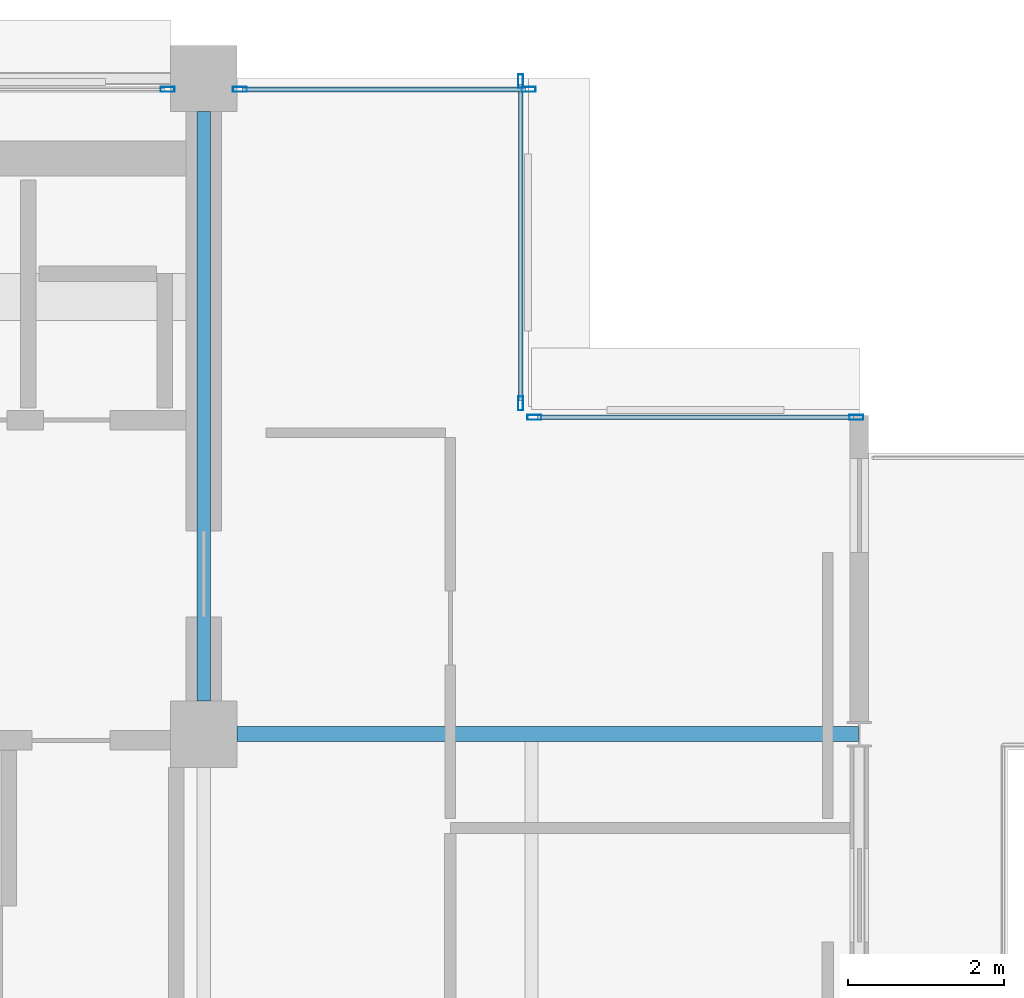
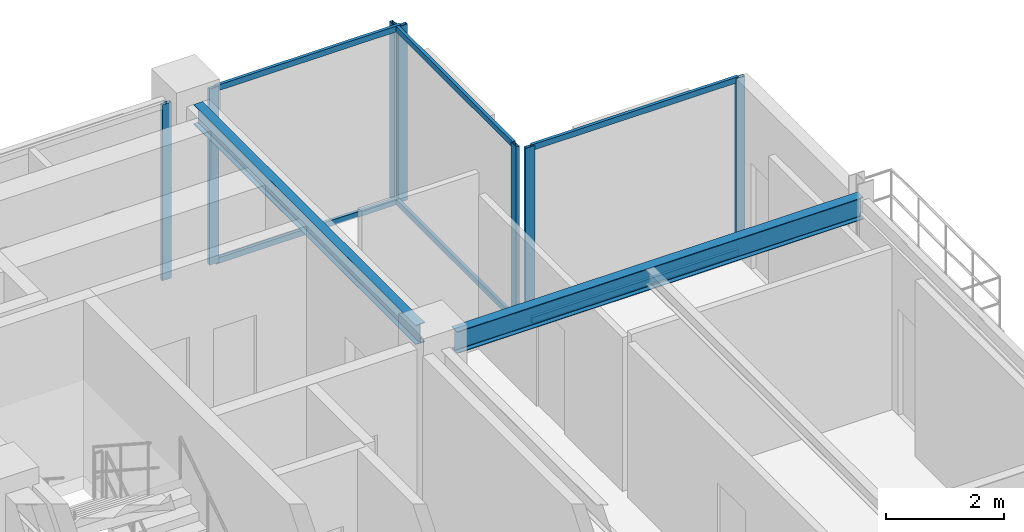
# One storey, part 18 of 25: 13 members, 2 beams, 4 elements without a shape of their own.
"""IFC4 building model written with IfcOpenShell, lengths in metres."""

from ifc_helpers import new_model, si_unit, direction, frame, origin, origin_2d, place, context, subcontext, project, spatial, hollow_rectangle, i_section, extrude, material, layer, layer_set, material_profile, profile_set, type_object, element, aggregate, save


model = new_model("IFC4")

# Units and contexts
model_context = context("Model", 3, precision=1e-05, world=origin(), true_north=direction((0.0, 1.0)))
body_context = subcontext(model_context, "Body", "Model", "MODEL_VIEW")
ifc_project = project(units=[si_unit("LENGTHUNIT", "METRE"), si_unit("AREAUNIT", "SQUARE_METRE"), si_unit("VOLUMEUNIT", "CUBIC_METRE"), si_unit("PLANEANGLEUNIT", "RADIAN"), si_unit("MASSUNIT", "GRAM", prefix="KILO")], contexts=[model_context])

# Site, building, storey
site_placement = place(None, origin())
site = spatial("IfcSite", under=ifc_project, at=site_placement, CompositionType="ELEMENT")
building_placement = place(site_placement, origin())
building = spatial("IfcBuilding", under=site, at=building_placement, Name="Nerrivon Quay Data Exchange", CompositionType="ELEMENT")
storey_placement = place(building_placement, frame((0.0, 0.0, 318.199951171875)))
storey = spatial("IfcBuildingStorey", under=building, at=storey_placement, Name="L76", CompositionType="ELEMENT", Elevation=318.199951171875)

# Beams
ifc_material_1 = material(Name="Steel Grade 350", Category="steel")
ifc_material_profile_1 = material_profile(ifc_material_1, i_section(OverallWidth=0.18994140625, OverallDepth=0.4541015625, WebThickness=0.008544921875, FlangeThickness=0.0126953125, FilletRadius=0.011474609375, at=origin_2d()), Name="460UB67.1")
ifc_profile_set_1 = profile_set([ifc_material_profile_1], Name="Steel Grade 350")
beam_type_1 = type_object("IfcBeamType", Name="BM-G6-460UB67", PredefinedType="BEAM", material=ifc_profile_set_1)
beam_1_placement = place(storey_placement, frame((17.22509765625, 33.60009765625, 3.423095703125), z_axis=(1.0, 0.0, 0.0), x_axis=(0.0, 1.0, 0.0)))
element("IfcBeam", 1, at=beam_1_placement, inside=storey, type_object=beam_type_1, Name="L76 EW Girder Y=33.6 (16.8..25.2)", PredefinedType="BEAM", context=body_context, shape_type="SweptSolid", body=[
    extrude(i_section(OverallWidth=0.18994140625, OverallDepth=0.4541015625, WebThickness=0.008544921875, FlangeThickness=0.0126953125, FilletRadius=0.011474609375, at=origin_2d()), origin(), (0.0, 0.0, 1.0), 7.967041015625),
])
ifc_material_profile_2 = material_profile(ifc_material_1, i_section(OverallWidth=0.177978515625, OverallDepth=0.406005859375, WebThickness=0.0078125, FlangeThickness=0.0126953125, FilletRadius=0.011474609375, at=origin_2d()), Name="410UB59.7")
ifc_profile_set_2 = profile_set([ifc_material_profile_2], Name="Steel Grade 350")
beam_type_2 = type_object("IfcBeamType", Name="BM-J1-410UB60", PredefinedType="JOIST", material=ifc_profile_set_2)
beam_2_placement = place(storey_placement, frame((16.800048828125, 34.02490234375, 3.447021484375), z_axis=(0.0, 1.0, 0.0), x_axis=(-1.0, 0.0, 0.0)))
element("IfcBeam", 2, at=beam_2_placement, inside=storey, type_object=beam_type_2, Name="L76 NS Girder X=16.8 (33.6..42.0)", PredefinedType="JOIST", context=body_context, shape_type="SweptSolid", body=[
    extrude(i_section(OverallWidth=0.177978515625, OverallDepth=0.406005859375, WebThickness=0.0078125, FlangeThickness=0.0126953125, FilletRadius=0.011474609375, at=origin_2d()), origin(), (0.0, 0.0, 1.0), 7.550048828125),
])

# Curtain wall, member
ifc_material_2 = material(Name="Anodised aluminium 6063-T6", Category="aluminium")
ifc_layer = layer(ifc_material_2, 0.195068359375)
ifc_layer_set = layer_set([ifc_layer], Name="Anodised aluminium 6063-T6")
curtain_wall_type = type_object("IfcCurtainWallType", Name="CW-SYS-06", PredefinedType="NOTDEFINED", material=ifc_layer_set)
curtain_wall_1_placement = place(storey_placement, origin())
curtain_wall_1 = element("IfcCurtainWall", 3, at=curtain_wall_1_placement, inside=storey, type_object=curtain_wall_type, Name="L76 Unitised Curtain Wall 15", PredefinedType="NOTDEFINED")
ifc_material_profile_3 = material_profile(ifc_material_2, hollow_rectangle(XDim=0.06494140625, YDim=0.179931640625, WallThickness=0.00341796875, at=origin_2d()), Name="ALU-MULL-180x65")
ifc_profile_set_3 = profile_set([ifc_material_profile_3], Name="Anodised aluminium 6063-T6")
member_type_1 = type_object("IfcMemberType", Name="CWM-180x65", PredefinedType="MULLION", material=ifc_profile_set_3)
member_1_placement = place(storey_placement, frame((16.33740234375, 41.860107421875, 0.0), z_axis=(0.0, 0.0, 1.0), x_axis=(0.0, 1.0, 0.0)))
member_1 = element("IfcMember", 4, at=member_1_placement, type_object=member_type_1, Name="CW06 mullion 2", PredefinedType="MULLION", context=body_context, shape_type="SweptSolid", body=[
    extrude(hollow_rectangle(XDim=0.06494140625, YDim=0.179931640625, WallThickness=0.00341796875, at=origin_2d()), origin(), (0.0, 0.0, 1.0), 3.650146484375),
])
aggregate(curtain_wall_1, [member_1])

# Curtain wall, members
curtain_wall_2_placement = place(storey_placement, origin())
curtain_wall_2 = element("IfcCurtainWall", 5, at=curtain_wall_2_placement, inside=storey, type_object=curtain_wall_type, Name="L76 Unitised Curtain Wall 16", PredefinedType="NOTDEFINED")
member_2_placement = place(storey_placement, frame((17.262451171875, 41.860107421875, 0.0), z_axis=(0.0, 0.0, 1.0), x_axis=(0.0, 1.0, 0.0)))
member_2 = element("IfcMember", 6, at=member_2_placement, type_object=member_type_1, Name="CW06 mullion 1", PredefinedType="MULLION", context=body_context, shape_type="SweptSolid", body=[
    extrude(hollow_rectangle(XDim=0.06494140625, YDim=0.179931640625, WallThickness=0.00341796875, at=origin_2d()), origin(), (0.0, 0.0, 1.0), 3.650146484375),
])
member_3_placement = place(storey_placement, frame((20.96240234375, 41.860107421875, 0.0), z_axis=(0.0, 0.0, 1.0), x_axis=(0.0, 1.0, 0.0)))
member_3 = element("IfcMember", 7, at=member_3_placement, type_object=member_type_1, Name="CW06 mullion 2", PredefinedType="MULLION", context=body_context, shape_type="SweptSolid", body=[
    extrude(hollow_rectangle(XDim=0.06494140625, YDim=0.179931640625, WallThickness=0.00341796875, at=origin_2d()), origin(), (0.0, 0.0, 1.0), 3.650146484375),
])

curtain_wall_3_placement = place(storey_placement, origin())
curtain_wall_3 = element("IfcCurtainWall", 8, at=curtain_wall_3_placement, inside=storey, type_object=curtain_wall_type, Name="L76 Unitised Curtain Wall 17", PredefinedType="NOTDEFINED")
member_4_placement = place(storey_placement, frame((20.860107421875, 41.96240234375, 0.0), z_axis=(0.0, 0.0, 1.0), x_axis=(1.0, 0.0, 0.0)))
member_4 = element("IfcMember", 9, at=member_4_placement, type_object=member_type_1, Name="CW06 mullion 1", PredefinedType="MULLION", context=body_context, shape_type="SweptSolid", body=[
    extrude(hollow_rectangle(XDim=0.06494140625, YDim=0.179931640625, WallThickness=0.00341796875, at=origin_2d()), origin(), (0.0, 0.0, 1.0), 3.650146484375),
])
member_5_placement = place(storey_placement, frame((20.860107421875, 37.83740234375, 0.0), z_axis=(0.0, 0.0, 1.0), x_axis=(1.0, 0.0, 0.0)))
member_5 = element("IfcMember", 10, at=member_5_placement, type_object=member_type_1, Name="CW06 mullion 2", PredefinedType="MULLION", context=body_context, shape_type="SweptSolid", body=[
    extrude(hollow_rectangle(XDim=0.06494140625, YDim=0.179931640625, WallThickness=0.00341796875, at=origin_2d()), origin(), (0.0, 0.0, 1.0), 3.650146484375),
])

curtain_wall_4_placement = place(storey_placement, origin())
curtain_wall_4 = element("IfcCurtainWall", 11, at=curtain_wall_4_placement, inside=storey, type_object=curtain_wall_type, Name="L76 Unitised Curtain Wall 18", PredefinedType="NOTDEFINED")
member_6_placement = place(storey_placement, frame((21.03759765625, 37.659912109375, 0.0), z_axis=(0.0, 0.0, 1.0), x_axis=(0.0, 1.0, 0.0)))
member_6 = element("IfcMember", 12, at=member_6_placement, type_object=member_type_1, Name="CW06 mullion 1", PredefinedType="MULLION", context=body_context, shape_type="SweptSolid", body=[
    extrude(hollow_rectangle(XDim=0.06494140625, YDim=0.179931640625, WallThickness=0.00341796875, at=origin_2d()), origin(), (0.0, 0.0, 1.0), 3.650146484375),
])
member_7_placement = place(storey_placement, frame((25.16259765625, 37.659912109375, 0.0), z_axis=(0.0, 0.0, 1.0), x_axis=(0.0, 1.0, 0.0)))
member_7 = element("IfcMember", 13, at=member_7_placement, type_object=member_type_1, Name="CW06 mullion 2", PredefinedType="MULLION", context=body_context, shape_type="SweptSolid", body=[
    extrude(hollow_rectangle(XDim=0.06494140625, YDim=0.179931640625, WallThickness=0.00341796875, at=origin_2d()), origin(), (0.0, 0.0, 1.0), 3.650146484375),
])

# Member
ifc_material_profile_4 = material_profile(ifc_material_2, hollow_rectangle(XDim=0.06005859375, YDim=0.1201171875, WallThickness=0.003173828125, at=origin_2d()), Name="ALU-TRAN-120x60")
ifc_profile_set_4 = profile_set([ifc_material_profile_4], Name="Anodised aluminium 6063-T6")
member_type_2 = type_object("IfcMemberType", Name="CWT-120x60", PredefinedType="USERDEFINED", material=ifc_profile_set_4)
member_8_placement = place(storey_placement, frame((17.300048828125, 41.860107421875, 0.032470703125), z_axis=(1.0, 0.0, 0.0), x_axis=(0.0, 1.0, 0.0)))
member_8 = element("IfcMember", 14, at=member_8_placement, type_object=member_type_2, Name="CW06 transom 1.1", ObjectType="TRANSOM", PredefinedType="USERDEFINED", context=body_context, shape_type="SweptSolid", body=[
    extrude(hollow_rectangle(XDim=0.06005859375, YDim=0.1201171875, WallThickness=0.003173828125, at=origin_2d()), origin(), (0.0, 0.0, 1.0), 3.625),
])

member_9_placement = place(storey_placement, frame((17.300048828125, 41.860107421875, 3.617431640625), z_axis=(1.0, 0.0, 0.0), x_axis=(0.0, 1.0, 0.0)))
member_9 = element("IfcMember", 15, at=member_9_placement, type_object=member_type_2, Name="CW06 transom 1.2", ObjectType="TRANSOM", PredefinedType="USERDEFINED", context=body_context, shape_type="SweptSolid", body=[
    extrude(hollow_rectangle(XDim=0.06005859375, YDim=0.1201171875, WallThickness=0.003173828125, at=origin_2d()), origin(), (0.0, 0.0, 1.0), 3.625),
])

aggregate(curtain_wall_2, [member_2, member_3, member_8, member_9])

member_10_placement = place(storey_placement, frame((20.860107421875, 41.925048828125, 0.032470703125), z_axis=(0.0, -1.0, 0.0), x_axis=(1.0, 0.0, 0.0)))
member_10 = element("IfcMember", 16, at=member_10_placement, type_object=member_type_2, Name="CW06 transom 1.1", ObjectType="TRANSOM", PredefinedType="USERDEFINED", context=body_context, shape_type="SweptSolid", body=[
    extrude(hollow_rectangle(XDim=0.06005859375, YDim=0.1201171875, WallThickness=0.003173828125, at=origin_2d()), origin(), (0.0, 0.0, 1.0), 4.050048828125),
])

member_11_placement = place(storey_placement, frame((20.860107421875, 41.925048828125, 3.617431640625), z_axis=(0.0, -1.0, 0.0), x_axis=(1.0, 0.0, 0.0)))
member_11 = element("IfcMember", 17, at=member_11_placement, type_object=member_type_2, Name="CW06 transom 1.2", ObjectType="TRANSOM", PredefinedType="USERDEFINED", context=body_context, shape_type="SweptSolid", body=[
    extrude(hollow_rectangle(XDim=0.06005859375, YDim=0.1201171875, WallThickness=0.003173828125, at=origin_2d()), origin(), (0.0, 0.0, 1.0), 4.050048828125),
])

aggregate(curtain_wall_3, [member_4, member_5, member_10, member_11])

member_12_placement = place(storey_placement, frame((21.074951171875, 37.659912109375, 0.032470703125), z_axis=(1.0, 0.0, 0.0), x_axis=(0.0, 1.0, 0.0)))
member_12 = element("IfcMember", 18, at=member_12_placement, type_object=member_type_2, Name="CW06 transom 1.1", ObjectType="TRANSOM", PredefinedType="USERDEFINED", context=body_context, shape_type="SweptSolid", body=[
    extrude(hollow_rectangle(XDim=0.06005859375, YDim=0.1201171875, WallThickness=0.003173828125, at=origin_2d()), origin(), (0.0, 0.0, 1.0), 4.050048828125),
])

member_13_placement = place(storey_placement, frame((21.074951171875, 37.659912109375, 3.617431640625), z_axis=(1.0, 0.0, 0.0), x_axis=(0.0, 1.0, 0.0)))
member_13 = element("IfcMember", 19, at=member_13_placement, type_object=member_type_2, Name="CW06 transom 1.2", ObjectType="TRANSOM", PredefinedType="USERDEFINED", context=body_context, shape_type="SweptSolid", body=[
    extrude(hollow_rectangle(XDim=0.06005859375, YDim=0.1201171875, WallThickness=0.003173828125, at=origin_2d()), origin(), (0.0, 0.0, 1.0), 4.050048828125),
])

aggregate(curtain_wall_4, [member_6, member_7, member_12, member_13])

save(model, "model.ifc")
